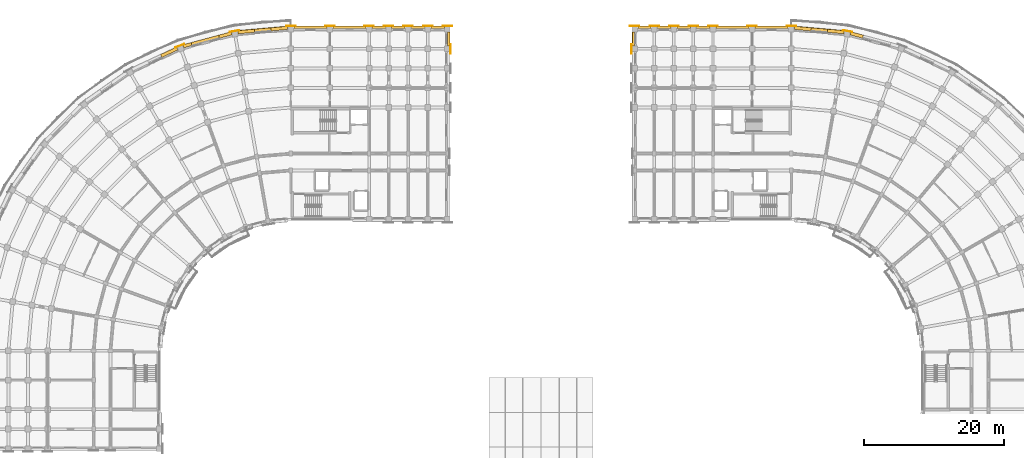
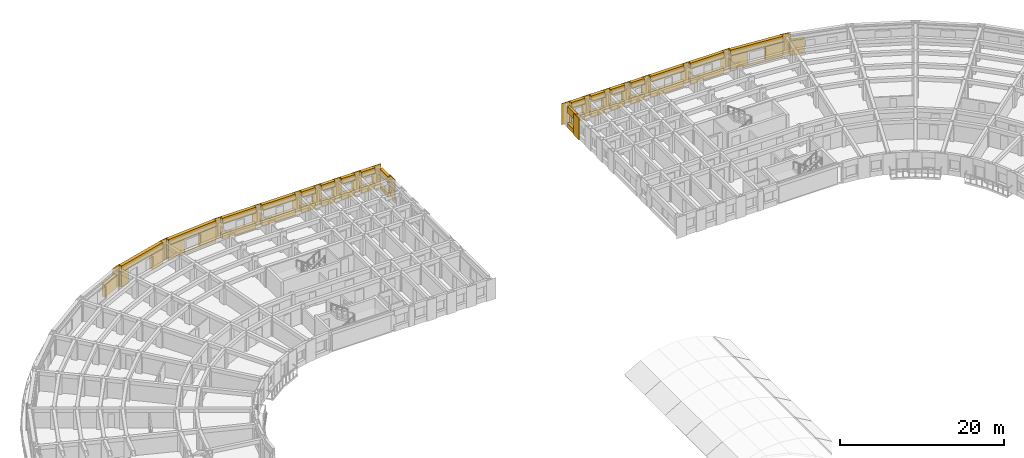
# One storey, part 53 of 54: 60 coverings.
"""IFC4 building model written with IfcOpenShell, lengths in metres."""

import ifcopenshell
import ifcopenshell.guid

model = None  # the IFC model being written
_history = None  # IfcOwnerHistory: only IFC2X3 demands one
_inside = {}  # id of a spatial element -> (the spatial element, [elements in it])
_under = {}  # id of a project, library or spatial element -> (it, [spatial elements below it])
_declared = {}  # id of a project -> (the project, [libraries it declares])
_typed = {}  # id of a type object -> (the type object, [elements of that type])
_made_of = {}  # id of a material, layer set ... -> (it, [elements and type objects made of it])


def new_model(schema):
    """Start an empty IFC model of exactly this schema.

    Asked for "IFC4X3", IfcOpenShell would pick the latest addendum, in which some entities
    have other attributes; the version numbers below select the first issue.
    IFC2X3 requires an IfcOwnerHistory on every rooted entity: one is made here for all.
    """
    global model, _history
    if schema == "IFC4X3":
        model = ifcopenshell.file(schema_version=(4, 3, 0, 0))
    else:
        model = ifcopenshell.file(schema=schema)
    _inside.clear()
    _under.clear()
    _declared.clear()
    _typed.clear()
    _made_of.clear()
    _history = None
    if model.schema == "IFC2X3":
        org = make("IfcOrganization", Name="unknown")
        user = make(
            "IfcPersonAndOrganization",
            ThePerson=make("IfcPerson", FamilyName="unknown"),
            TheOrganization=org,
        )
        app = make(
            "IfcApplication",
            ApplicationDeveloper=org,
            Version="unknown",
            ApplicationFullName="unknown",
            ApplicationIdentifier="unknown",
        )
        _history = make(
            "IfcOwnerHistory",
            OwningUser=user,
            OwningApplication=app,
            ChangeAction="ADDED",
            CreationDate=0,
        )
    return model


def make(cls, **values):
    """One entity of the class cls with the attributes given. An attribute that is None is left unset."""
    return model.create_entity(
        cls, **{name: value for name, value in values.items() if value is not None}
    )


def rooted(cls, **values):
    """An entity with a GlobalId (a new one), such as an element, a storey or a relation."""
    return make(cls, GlobalId=ifcopenshell.guid.new(), OwnerHistory=_history, **values)


def si_unit(unit_type, name, prefix=None):
    """IfcSIUnit, for example si_unit("LENGTHUNIT", "METRE", prefix="MILLI")."""
    return make("IfcSIUnit", UnitType=unit_type, Prefix=prefix, Name=name)


def assignment(units):
    """IfcUnitAssignment: the units of a project."""
    return None if units is None else make("IfcUnitAssignment", Units=units)


def point(xyz):
    """IfcCartesianPoint."""
    return None if xyz is None else make("IfcCartesianPoint", Coordinates=xyz)


def direction(xyz):
    """IfcDirection."""
    return None if xyz is None else make("IfcDirection", DirectionRatios=xyz)


def frame(location, z_axis=None, x_axis=None):
    """IfcAxis2Placement3D, a coordinate frame: its origin and axes. An axis left out is left unset."""
    return make(
        "IfcAxis2Placement3D",
        Location=point(location),
        Axis=direction(z_axis),
        RefDirection=direction(x_axis),
    )


def origin():
    """The frame at (0, 0, 0) with its axes left unset."""
    return frame((0.0, 0.0, 0.0))


def place(relative_to, where):
    """IfcLocalPlacement: puts the frame where relative to a parent placement (None: the world)."""
    return make(
        "IfcLocalPlacement", PlacementRelTo=relative_to, RelativePlacement=where
    )


def context(
    kind, dimensions, precision=None, world=None, true_north=None, identifier=None
):
    """IfcGeometricRepresentationContext, for example the 3D "Model" context."""
    return make(
        "IfcGeometricRepresentationContext",
        ContextIdentifier=identifier,
        ContextType=kind,
        CoordinateSpaceDimension=dimensions,
        Precision=precision,
        WorldCoordinateSystem=world,
        TrueNorth=true_north,
    )


def subcontext(parent, identifier, kind, view, scale=None):
    """IfcGeometricRepresentationSubContext, for example "Body" below "Model"."""
    return make(
        "IfcGeometricRepresentationSubContext",
        ContextIdentifier=identifier,
        ContextType=kind,
        ParentContext=parent,
        TargetScale=scale,
        TargetView=view,
    )


def project(units=None, contexts=None):
    """IfcProject with its units and contexts."""
    return rooted(
        "IfcProject",
        Name="project",
        RepresentationContexts=contexts,
        UnitsInContext=assignment(units),
    )


def spatial(cls, under=None, at=None, **own):
    """A site, building, storey or space (cls), placed at a placement, below another one or the project."""
    s = rooted(cls, ObjectPlacement=at, **own)
    if under is not None:
        _under.setdefault(under.id(), (under, []))[1].append(s)
    return s


def polyline(points):
    """IfcPolyline through the points."""
    return make("IfcPolyline", Points=[point(p) for p in points])


def outline(outer, holes=None, kind="AREA"):
    """IfcArbitraryClosedProfileDef: a profile drawn as a closed curve; with holes, ...WithVoids."""
    if holes is None:
        return make("IfcArbitraryClosedProfileDef", ProfileType=kind, OuterCurve=outer)
    return make(
        "IfcArbitraryProfileDefWithVoids",
        ProfileType=kind,
        OuterCurve=outer,
        InnerCurves=holes,
    )


def extrude(swept, where, along, depth):
    """IfcExtrudedAreaSolid: the profile swept, set in the frame where, extruded along a direction by depth."""
    return make(
        "IfcExtrudedAreaSolid",
        SweptArea=swept,
        Position=where,
        ExtrudedDirection=direction(along),
        Depth=depth,
    )


def shape(context_of_items, identifier, shape_type, items):
    """IfcShapeRepresentation: the items that make up one representation, for example the "Body"."""
    return make(
        "IfcShapeRepresentation",
        ContextOfItems=context_of_items,
        RepresentationIdentifier=identifier,
        RepresentationType=shape_type,
        Items=items,
    )


def material(Name=None, Category=None):
    """IfcMaterial."""
    return make("IfcMaterial", Name=Name, Category=Category)


def layer(
    of_material, thickness, ventilated=None, Name=None, Category=None, Priority=None
):
    """IfcMaterialLayer: one layer of a wall or slab, of a material (None: an air gap)."""
    return make(
        "IfcMaterialLayer",
        Material=of_material,
        LayerThickness=thickness,
        IsVentilated=ventilated,
        Name=Name,
        Category=Category,
        Priority=Priority,
    )


def layer_set(layers, Name=None):
    """IfcMaterialLayerSet."""
    return make("IfcMaterialLayerSet", MaterialLayers=layers, LayerSetName=Name)


def made_of(thing, what):
    """Note that an element or type object is made of a material, layer set ...; save() writes the relation."""
    if what is not None:
        _made_of.setdefault(what.id(), (what, []))[1].append(thing)
    return thing


def type_object(cls, material=None, **own):
    """A type object (cls), such as IfcWallType, which elements share."""
    return made_of(rooted(cls, **own), material)


def element(
    cls,
    number,
    at=None,
    inside=None,
    cuts=None,
    type_object=None,
    material=None,
    context=None,
    identifier="Body",
    shape_type=None,
    held_by="IfcProductDefinitionShape",
    body=None,
    shapes=None,
    **own,
):
    """One element of the class cls, such as IfcWall. Its Tag is "e" and its number.

    at: its placement. inside: the storey or other place that contains it. cuts: it is an
    opening in that element (IfcRelVoidsElement). A single representation is given by context,
    identifier, shape_type and body (its items); several are given by shapes. held_by: the class
    of the entity that holds the representations. save() writes the other relations.
    """
    e = rooted(cls, Tag="e%d" % number, ObjectPlacement=at, **own)
    if body is not None:
        shapes = [shape(context, identifier, shape_type, body)]
    if shapes is not None:
        e.Representation = make(held_by, Representations=shapes)
    if inside is not None:
        _inside.setdefault(inside.id(), (inside, []))[1].append(e)
    if cuts is not None:
        rooted(
            "IfcRelVoidsElement", RelatingBuildingElement=cuts, RelatedOpeningElement=e
        )
    if type_object is not None:
        _typed.setdefault(type_object.id(), (type_object, []))[1].append(e)
    return made_of(e, material)


def aggregate(whole, parts):
    """IfcRelAggregates: a whole, such as a stair, and the parts it consists of."""
    return rooted("IfcRelAggregates", RelatingObject=whole, RelatedObjects=parts)


def save(model, path):
    """Write the relations noted so far, then the file.

    IfcRelAggregates (storeys below a building ...), IfcRelContainedInSpatialStructure (elements
    in a storey), IfcRelDefinesByType, IfcRelAssociatesMaterial and IfcRelDeclares: one each for
    every whole, place, type object, material and project.
    """
    for whole, parts in _under.values():
        aggregate(whole, parts)
    for where, things in _inside.values():
        rooted(
            "IfcRelContainedInSpatialStructure",
            RelatedElements=things,
            RelatingStructure=where,
        )
    for kind, things in _typed.values():
        rooted("IfcRelDefinesByType", RelatedObjects=things, RelatingType=kind)
    for what, things in _made_of.values():
        rooted("IfcRelAssociatesMaterial", RelatedObjects=things, RelatingMaterial=what)
    for by, libraries in _declared.values():
        rooted("IfcRelDeclares", RelatingContext=by, RelatedDefinitions=libraries)
    model.write(path)


model = new_model("IFC4")

# Units and contexts
model_context = context("Model", 3, precision=1e-05, world=origin(), true_north=direction((0.0, 1.0)))
body_context = subcontext(model_context, "Body", "Model", "MODEL_VIEW")
ifc_project = project(units=[si_unit("LENGTHUNIT", "METRE"), si_unit("AREAUNIT", "SQUARE_METRE"), si_unit("VOLUMEUNIT", "CUBIC_METRE"), si_unit("PLANEANGLEUNIT", "RADIAN"), si_unit("MASSUNIT", "GRAM", prefix="KILO")], contexts=[model_context])

# Site, building, storey
site_placement = place(None, origin())
site = spatial("IfcSite", under=ifc_project, at=site_placement, CompositionType="ELEMENT")
building_placement = place(site_placement, origin())
building = spatial("IfcBuilding", under=site, at=building_placement, Name="Kiranvali Square Residences", CompositionType="ELEMENT")
storey_placement = place(building_placement, frame((0.0, 0.0, 15.0)))
storey = spatial("IfcBuildingStorey", under=building, at=storey_placement, Name="L04", CompositionType="ELEMENT", Elevation=15.0)

# Coverings
ifc_material = material(Name="Honed Porbandar limestone ashlar facade cladding", Category="masonry")
ifc_layer_1 = layer(ifc_material, 0.3798828125)
ifc_layer_set_1 = layer_set([ifc_layer_1], Name="Honed Porbandar limestone ashlar facade cladding")
covering_type_1 = type_object("IfcCoveringType", Name="COV-CLAD-JAMB", PredefinedType="CLADDING", material=ifc_layer_set_1)
covering_1_placement = place(storey_placement, frame((0.0, 0.0, 0.322021484375)))
element("IfcCovering", 1, at=covering_1_placement, inside=storey, type_object=covering_type_1, Name="L04 deep limestone window jamb reveal A-L04-CRV-00.L", PredefinedType="CLADDING", context=body_context, shape_type="SweptSolid", body=[
    extrude(outline(polyline([(47.711669921875, 134.218994140625), (45.33642578125, 134.01123046875), (45.37646484375, 133.553466796875), (47.751708984375, 133.76123046875), (47.711669921875, 134.218994140625)])), origin(), (0.0, 0.0, 1.0), 1.949951171875),
])
covering_2_placement = place(storey_placement, frame((0.0, 0.0, 0.322021484375)))
element("IfcCovering", 2, at=covering_2_placement, inside=storey, type_object=covering_type_1, Name="L04 deep limestone window jamb reveal A-L04-CRV-00.R", PredefinedType="CLADDING", context=body_context, shape_type="SweptSolid", body=[
    extrude(outline(polyline([(42.995361328125, 133.806396484375), (40.620361328125, 133.5986328125), (40.660400390625, 133.140869140625), (43.035400390625, 133.3486328125), (42.995361328125, 133.806396484375)])), origin(), (0.0, 0.0, 1.0), 1.949951171875),
])
covering_3_placement = place(storey_placement, origin())
element("IfcCovering", 3, at=covering_3_placement, inside=storey, type_object=covering_type_1, Name="L04 deep limestone window jamb reveal A-L04-CRV-01.L", PredefinedType="CLADDING", context=body_context, shape_type="SweptSolid", body=[
    extrude(outline(polyline([(39.658447265625, 133.428955078125), (37.8798828125, 132.952392578125), (37.998779296875, 132.508544921875), (39.77734375, 132.985107421875), (39.658447265625, 133.428955078125)])), origin(), (0.0, 0.0, 1.0), 2.179931640625),
])
covering_4_placement = place(storey_placement, origin())
element("IfcCovering", 4, at=covering_4_placement, inside=storey, type_object=covering_type_1, Name="L04 deep limestone window jamb reveal A-L04-CRV-01.R", PredefinedType="CLADDING", context=body_context, shape_type="SweptSolid", body=[
    extrude(outline(polyline([(33.942626953125, 131.8974609375), (32.78271484375, 131.586669921875), (32.901611328125, 131.142822265625), (34.0615234375, 131.45361328125), (33.942626953125, 131.8974609375)])), origin(), (0.0, 0.0, 1.0), 2.179931640625),
])
covering_5_placement = place(storey_placement, frame((0.0, 0.0, 0.422119140625)))
element("IfcCovering", 5, at=covering_5_placement, inside=storey, type_object=covering_type_1, Name="L04 deep limestone window jamb reveal A-L04-CRV-02.L", PredefinedType="CLADDING", context=body_context, shape_type="SweptSolid", body=[
    extrude(outline(polyline([(31.86474609375, 131.252685546875), (29.568115234375, 130.181640625), (29.76220703125, 129.76513671875), (32.05908203125, 130.836181640625), (31.86474609375, 131.252685546875)])), origin(), (0.0, 0.0, 1.0), 1.849853515625),
])
covering_6_placement = place(storey_placement, frame((0.0, 0.0, 0.322021484375)))
element("IfcCovering", 6, at=covering_6_placement, inside=storey, type_object=covering_type_1, Name="L04 deep limestone window jamb reveal B-L04-CRV-00.L", PredefinedType="CLADDING", context=body_context, shape_type="SweptSolid", body=[
    extrude(outline(polyline([(120.248291015625, 133.76123046875), (122.62353515625, 133.553466796875), (122.66357421875, 134.01123046875), (120.288330078125, 134.218994140625), (120.248291015625, 133.76123046875)])), origin(), (0.0, 0.0, 1.0), 1.949951171875),
])
covering_7_placement = place(storey_placement, frame((0.0, 0.0, 0.322021484375)))
element("IfcCovering", 7, at=covering_7_placement, inside=storey, type_object=covering_type_1, Name="L04 deep limestone window jamb reveal B-L04-CRV-00.R", PredefinedType="CLADDING", context=body_context, shape_type="SweptSolid", body=[
    extrude(outline(polyline([(124.964599609375, 133.3486328125), (127.339599609375, 133.140869140625), (127.379638671875, 133.5986328125), (125.004638671875, 133.806396484375), (124.964599609375, 133.3486328125)])), origin(), (0.0, 0.0, 1.0), 1.949951171875),
])
covering_8_placement = place(storey_placement, origin())
element("IfcCovering", 8, at=covering_8_placement, inside=storey, type_object=covering_type_1, Name="L04 deep limestone window jamb reveal B-L04-CRV-01.L", PredefinedType="CLADDING", context=body_context, shape_type="SweptSolid", body=[
    extrude(outline(polyline([(128.22265625, 132.985107421875), (130.001220703125, 132.508544921875), (130.1201171875, 132.952392578125), (128.341552734375, 133.428955078125), (128.22265625, 132.985107421875)])), origin(), (0.0, 0.0, 1.0), 2.179931640625),
])
ifc_layer_2 = layer(ifc_material, 0.06494140625)
ifc_layer_set_2 = layer_set([ifc_layer_2], Name="Honed Porbandar limestone ashlar facade cladding")
covering_type_2 = type_object("IfcCoveringType", Name="COV-CLAD-PIER", PredefinedType="CLADDING", material=ifc_layer_set_2)
covering_9_placement = place(storey_placement, frame((0.0, 0.0, 0.0048828125)))
element("IfcCovering", 9, at=covering_9_placement, inside=storey, type_object=covering_type_2, Name="L04 Classical limestone corner pilaster CLAD-PR-A-L04-A00", PredefinedType="CLADDING", context=body_context, shape_type="SweptSolid", body=[
    extrude(outline(polyline([(48.8798828125, 134.26806640625), (47.52001953125, 134.26806640625), (47.52001953125, 134.200439453125), (48.8798828125, 134.200439453125), (48.8798828125, 134.26806640625)])), origin(), (0.0, 0.0, 1.0), 3.14013671875),
])
covering_10_placement = place(storey_placement, frame((0.0, 0.0, 0.0048828125)))
element("IfcCovering", 10, at=covering_10_placement, inside=storey, type_object=covering_type_2, Name="L04 Classical limestone corner pilaster CLAD-PR-A-L04-A01", PredefinedType="CLADDING", context=body_context, shape_type="SweptSolid", body=[
    extrude(outline(polyline([(40.800537109375, 133.68017578125), (39.461181640625, 133.444091796875), (39.472900390625, 133.37744140625), (40.812255859375, 133.61376953125), (40.800537109375, 133.68017578125)])), origin(), (0.0, 0.0, 1.0), 3.14013671875),
])
covering_11_placement = place(storey_placement, frame((0.0, 0.0, 0.0048828125)))
element("IfcCovering", 11, at=covering_11_placement, inside=storey, type_object=covering_type_2, Name="L04 Classical limestone corner pilaster CLAD-PR-A-L04-A02", PredefinedType="CLADDING", context=body_context, shape_type="SweptSolid", body=[
    extrude(outline(polyline([(32.946044921875, 131.6982421875), (31.66796875, 131.233154296875), (31.691162109375, 131.169677734375), (32.968994140625, 131.634765625), (32.946044921875, 131.6982421875)])), origin(), (0.0, 0.0, 1.0), 3.14013671875),
])
covering_12_placement = place(storey_placement, frame((0.0, 0.0, 0.0048828125)))
element("IfcCovering", 12, at=covering_12_placement, inside=storey, type_object=covering_type_2, Name="L04 Classical limestone pilaster casing CLAD-PR-A-L04-U56", PredefinedType="CLADDING", context=body_context, shape_type="SweptSolid", body=[
    extrude(outline(polyline([(53.1201171875, 134.200439453125), (54.47998046875, 134.200439453125), (54.47998046875, 134.26806640625), (53.1201171875, 134.26806640625), (53.1201171875, 134.200439453125)])), origin(), (0.0, 0.0, 1.0), 3.14013671875),
])
covering_13_placement = place(storey_placement, frame((0.0, 0.0, 0.0048828125)))
element("IfcCovering", 13, at=covering_13_placement, inside=storey, type_object=covering_type_2, Name="L04 Classical limestone pilaster casing CLAD-PR-A-L04-U112", PredefinedType="CLADDING", context=body_context, shape_type="SweptSolid", body=[
    extrude(outline(polyline([(58.719970703125, 134.200439453125), (60.080078125, 134.200439453125), (60.080078125, 134.26806640625), (58.719970703125, 134.26806640625), (58.719970703125, 134.200439453125)])), origin(), (0.0, 0.0, 1.0), 3.14013671875),
])
covering_14_placement = place(storey_placement, frame((0.0, 0.0, 0.0048828125)))
element("IfcCovering", 14, at=covering_14_placement, inside=storey, type_object=covering_type_2, Name="L04 Classical limestone pilaster casing CLAD-PR-A-L04-U140", PredefinedType="CLADDING", context=body_context, shape_type="SweptSolid", body=[
    extrude(outline(polyline([(61.52001953125, 134.200439453125), (62.8798828125, 134.200439453125), (62.8798828125, 134.26806640625), (61.52001953125, 134.26806640625), (61.52001953125, 134.200439453125)])), origin(), (0.0, 0.0, 1.0), 3.14013671875),
])
covering_15_placement = place(storey_placement, frame((0.0, 0.0, 0.0048828125)))
element("IfcCovering", 15, at=covering_15_placement, inside=storey, type_object=covering_type_2, Name="L04 Classical limestone pilaster casing CLAD-PR-A-L04-U167", PredefinedType="CLADDING", context=body_context, shape_type="SweptSolid", body=[
    extrude(outline(polyline([(64.320068359375, 134.200439453125), (65.679931640625, 134.200439453125), (65.679931640625, 134.26806640625), (64.320068359375, 134.26806640625), (64.320068359375, 134.200439453125)])), origin(), (0.0, 0.0, 1.0), 3.14013671875),
])
covering_16_placement = place(storey_placement, frame((0.0, 0.0, 0.0048828125)))
element("IfcCovering", 16, at=covering_16_placement, inside=storey, type_object=covering_type_2, Name="L04 Classical limestone pilaster casing CLAD-PR-A-L04-U195", PredefinedType="CLADDING", context=body_context, shape_type="SweptSolid", body=[
    extrude(outline(polyline([(67.1201171875, 134.200439453125), (68.47998046875, 134.200439453125), (68.47998046875, 134.26806640625), (67.1201171875, 134.26806640625), (67.1201171875, 134.200439453125)])), origin(), (0.0, 0.0, 1.0), 3.14013671875),
])
covering_17_placement = place(storey_placement, frame((0.0, 0.0, 0.0048828125)))
element("IfcCovering", 17, at=covering_17_placement, inside=storey, type_object=covering_type_2, Name="L04 Classical limestone pilaster casing CLAD-PR-A-L04-U224", PredefinedType="CLADDING", context=body_context, shape_type="SweptSolid", body=[
    extrude(outline(polyline([(69.919921875, 134.200439453125), (71.280029296875, 134.200439453125), (71.280029296875, 134.26806640625), (69.919921875, 134.26806640625), (69.919921875, 134.200439453125)])), origin(), (0.0, 0.0, 1.0), 3.14013671875),
])
covering_18_placement = place(storey_placement, frame((0.0, 0.0, 0.0048828125)))
element("IfcCovering", 18, at=covering_18_placement, inside=storey, type_object=covering_type_2, Name="L04 Classical limestone corner pilaster CLAD-PR-B-L04-A00", PredefinedType="CLADDING", context=body_context, shape_type="SweptSolid", body=[
    extrude(outline(polyline([(120.47998046875, 134.26806640625), (119.1201171875, 134.26806640625), (119.1201171875, 134.200439453125), (120.47998046875, 134.200439453125), (120.47998046875, 134.26806640625)])), origin(), (0.0, 0.0, 1.0), 3.14013671875),
])
covering_19_placement = place(storey_placement, frame((0.0, 0.0, 0.0048828125)))
element("IfcCovering", 19, at=covering_19_placement, inside=storey, type_object=covering_type_2, Name="L04 Classical limestone corner pilaster CLAD-PR-B-L04-A01", PredefinedType="CLADDING", context=body_context, shape_type="SweptSolid", body=[
    extrude(outline(polyline([(128.538818359375, 133.444091796875), (127.199462890625, 133.68017578125), (127.187744140625, 133.61376953125), (128.527099609375, 133.37744140625), (128.538818359375, 133.444091796875)])), origin(), (0.0, 0.0, 1.0), 3.14013671875),
])
covering_20_placement = place(storey_placement, frame((0.0, 0.0, 0.0048828125)))
element("IfcCovering", 20, at=covering_20_placement, inside=storey, type_object=covering_type_2, Name="L04 Classical limestone pilaster casing CLAD-PR-B-L04-U56", PredefinedType="CLADDING", context=body_context, shape_type="SweptSolid", body=[
    extrude(outline(polyline([(114.8798828125, 134.26806640625), (113.52001953125, 134.26806640625), (113.52001953125, 134.200439453125), (114.8798828125, 134.200439453125), (114.8798828125, 134.26806640625)])), origin(), (0.0, 0.0, 1.0), 3.14013671875),
])
covering_21_placement = place(storey_placement, frame((0.0, 0.0, 0.0048828125)))
element("IfcCovering", 21, at=covering_21_placement, inside=storey, type_object=covering_type_2, Name="L04 Classical limestone pilaster casing CLAD-PR-B-L04-U112", PredefinedType="CLADDING", context=body_context, shape_type="SweptSolid", body=[
    extrude(outline(polyline([(109.280029296875, 134.26806640625), (107.919921875, 134.26806640625), (107.919921875, 134.200439453125), (109.280029296875, 134.200439453125), (109.280029296875, 134.26806640625)])), origin(), (0.0, 0.0, 1.0), 3.14013671875),
])
covering_22_placement = place(storey_placement, frame((0.0, 0.0, 0.0048828125)))
element("IfcCovering", 22, at=covering_22_placement, inside=storey, type_object=covering_type_2, Name="L04 Classical limestone pilaster casing CLAD-PR-B-L04-U140", PredefinedType="CLADDING", context=body_context, shape_type="SweptSolid", body=[
    extrude(outline(polyline([(106.47998046875, 134.26806640625), (105.1201171875, 134.26806640625), (105.1201171875, 134.200439453125), (106.47998046875, 134.200439453125), (106.47998046875, 134.26806640625)])), origin(), (0.0, 0.0, 1.0), 3.14013671875),
])
covering_23_placement = place(storey_placement, frame((0.0, 0.0, 0.0048828125)))
element("IfcCovering", 23, at=covering_23_placement, inside=storey, type_object=covering_type_2, Name="L04 Classical limestone pilaster casing CLAD-PR-B-L04-U167", PredefinedType="CLADDING", context=body_context, shape_type="SweptSolid", body=[
    extrude(outline(polyline([(103.679931640625, 134.26806640625), (102.320068359375, 134.26806640625), (102.320068359375, 134.200439453125), (103.679931640625, 134.200439453125), (103.679931640625, 134.26806640625)])), origin(), (0.0, 0.0, 1.0), 3.14013671875),
])
covering_24_placement = place(storey_placement, frame((0.0, 0.0, 0.0048828125)))
element("IfcCovering", 24, at=covering_24_placement, inside=storey, type_object=covering_type_2, Name="L04 Classical limestone pilaster casing CLAD-PR-B-L04-U195", PredefinedType="CLADDING", context=body_context, shape_type="SweptSolid", body=[
    extrude(outline(polyline([(100.8798828125, 134.26806640625), (99.52001953125, 134.26806640625), (99.52001953125, 134.200439453125), (100.8798828125, 134.200439453125), (100.8798828125, 134.26806640625)])), origin(), (0.0, 0.0, 1.0), 3.14013671875),
])
covering_25_placement = place(storey_placement, frame((0.0, 0.0, 0.0048828125)))
element("IfcCovering", 25, at=covering_25_placement, inside=storey, type_object=covering_type_2, Name="L04 Classical limestone pilaster casing CLAD-PR-B-L04-U224", PredefinedType="CLADDING", context=body_context, shape_type="SweptSolid", body=[
    extrude(outline(polyline([(98.080078125, 134.26806640625), (96.719970703125, 134.26806640625), (96.719970703125, 134.200439453125), (98.080078125, 134.200439453125), (98.080078125, 134.26806640625)])), origin(), (0.0, 0.0, 1.0), 3.14013671875),
])
ifc_layer_3 = layer(ifc_material, 0.054931640625)
ifc_layer_set_3 = layer_set([ifc_layer_3], Name="Honed Porbandar limestone ashlar facade cladding")
covering_type_3 = type_object("IfcCoveringType", Name="COV-CLAD-PIER-UP", PredefinedType="CLADDING", material=ifc_layer_set_3)
covering_26_placement = place(storey_placement, frame((0.0, 0.0, 0.0048828125)))
element("IfcCovering", 26, at=covering_26_placement, inside=storey, type_object=covering_type_3, Name="L04 Classical limestone pilaster casing CLAD-PRA1E-A-L04-R432", PredefinedType="CLADDING", context=body_context, shape_type="SweptSolid", body=[
    extrude(outline(polyline([(71.068115234375, 130.320068359375), (71.068115234375, 131.679931640625), (71.00048828125, 131.679931640625), (71.00048828125, 130.320068359375), (71.068115234375, 130.320068359375)])), origin(), (0.0, 0.0, 1.0), 3.14013671875),
])
covering_27_placement = place(storey_placement, frame((0.0, 0.0, 0.0048828125)))
element("IfcCovering", 27, at=covering_27_placement, inside=storey, type_object=covering_type_3, Name="L04 Classical limestone pilaster casing CLAD-PRA1E-B-L04-R432", PredefinedType="CLADDING", context=body_context, shape_type="SweptSolid", body=[
    extrude(outline(polyline([(96.99951171875, 130.320068359375), (96.99951171875, 131.679931640625), (96.931884765625, 131.679931640625), (96.931884765625, 130.320068359375), (96.99951171875, 130.320068359375)])), origin(), (0.0, 0.0, 1.0), 3.14013671875),
])
ifc_layer_4 = layer(ifc_material, 0.360107421875)
ifc_layer_set_4 = layer_set([ifc_layer_4], Name="Honed Porbandar limestone ashlar facade cladding")
covering_type_4 = type_object("IfcCoveringType", Name="COV-CLAD-WALL", PredefinedType="CLADDING", material=ifc_layer_set_4)
covering_28_placement = place(storey_placement, frame((0.0, 0.0, 2.27197265625)))
element("IfcCovering", 28, at=covering_28_placement, inside=storey, type_object=covering_type_4, Name="L04 light limestone spandrel lintel A-L04-CRV-00", PredefinedType="CLADDING", context=body_context, shape_type="SweptSolid", body=[
    extrude(outline(polyline([(47.711669921875, 134.218994140625), (40.620361328125, 133.5986328125), (40.660400390625, 133.140869140625), (47.751708984375, 133.76123046875), (47.711669921875, 134.218994140625)])), origin(), (0.0, 0.0, 1.0), 0.873046875),
])
covering_29_placement = place(storey_placement, frame((0.0, 0.0, 0.0048828125)))
element("IfcCovering", 29, at=covering_29_placement, inside=storey, type_object=covering_type_4, Name="L04 limestone window sill apron A-L04-CRV-00", PredefinedType="CLADDING", context=body_context, shape_type="SweptSolid", body=[
    extrude(outline(polyline([(47.708984375, 134.2490234375), (40.61767578125, 133.62841796875), (40.660400390625, 133.140869140625), (47.751708984375, 133.76123046875), (47.708984375, 134.2490234375)])), origin(), (0.0, 0.0, 1.0), 0.317138671875),
])
covering_30_placement = place(storey_placement, frame((0.0, 0.0, 2.179931640625)))
element("IfcCovering", 30, at=covering_30_placement, inside=storey, type_object=covering_type_4, Name="L04 light limestone spandrel lintel A-L04-CRV-01", PredefinedType="CLADDING", context=body_context, shape_type="SweptSolid", body=[
    extrude(outline(polyline([(39.658447265625, 133.428955078125), (32.78271484375, 131.586669921875), (32.901611328125, 131.142822265625), (39.77734375, 132.985107421875), (39.658447265625, 133.428955078125)])), origin(), (0.0, 0.0, 1.0), 0.965087890625),
])
covering_31_placement = place(storey_placement, frame((0.0, 0.0, 2.27197265625)))
element("IfcCovering", 31, at=covering_31_placement, inside=storey, type_object=covering_type_4, Name="L04 light limestone spandrel lintel A-L04-A1O-0", PredefinedType="CLADDING", context=body_context, shape_type="SweptSolid", body=[
    extrude(outline(polyline([(48.639892578125, 133.800537109375), (53.360107421875, 133.800537109375), (53.360107421875, 134.25), (48.639892578125, 134.25), (48.639892578125, 133.800537109375)])), origin(), (0.0, 0.0, 1.0), 0.873046875),
])
covering_32_placement = place(storey_placement, frame((0.0, 0.0, 0.0048828125)))
element("IfcCovering", 32, at=covering_32_placement, inside=storey, type_object=covering_type_4, Name="L04 limestone window sill apron A-L04-A1O-0", PredefinedType="CLADDING", context=body_context, shape_type="SweptSolid", body=[
    extrude(outline(polyline([(48.639892578125, 133.800537109375), (53.360107421875, 133.800537109375), (53.360107421875, 134.280029296875), (48.639892578125, 134.280029296875), (48.639892578125, 133.800537109375)])), origin(), (0.0, 0.0, 1.0), 0.76708984375),
])
covering_33_placement = place(storey_placement, frame((0.0, 0.0, 2.27197265625)))
element("IfcCovering", 33, at=covering_33_placement, inside=storey, type_object=covering_type_4, Name="L04 light limestone spandrel lintel A-L04-A1O-1", PredefinedType="CLADDING", context=body_context, shape_type="SweptSolid", body=[
    extrude(outline(polyline([(54.239990234375, 133.800537109375), (58.9599609375, 133.800537109375), (58.9599609375, 134.25), (54.239990234375, 134.25), (54.239990234375, 133.800537109375)])), origin(), (0.0, 0.0, 1.0), 0.873046875),
])
covering_34_placement = place(storey_placement, frame((0.0, 0.0, 0.0048828125)))
element("IfcCovering", 34, at=covering_34_placement, inside=storey, type_object=covering_type_4, Name="L04 limestone window sill apron A-L04-A1O-1", PredefinedType="CLADDING", context=body_context, shape_type="SweptSolid", body=[
    extrude(outline(polyline([(54.239990234375, 133.800537109375), (58.9599609375, 133.800537109375), (58.9599609375, 134.280029296875), (54.239990234375, 134.280029296875), (54.239990234375, 133.800537109375)])), origin(), (0.0, 0.0, 1.0), 0.817138671875),
])
covering_35_placement = place(storey_placement, frame((0.0, 0.0, 2.22998046875)))
element("IfcCovering", 35, at=covering_35_placement, inside=storey, type_object=covering_type_4, Name="L04 light limestone spandrel lintel A-L04-A1O-2", PredefinedType="CLADDING", context=body_context, shape_type="SweptSolid", body=[
    extrude(outline(polyline([(59.840087890625, 133.800537109375), (61.760009765625, 133.800537109375), (61.760009765625, 134.25), (59.840087890625, 134.25), (59.840087890625, 133.800537109375)])), origin(), (0.0, 0.0, 1.0), 0.9150390625),
])
covering_36_placement = place(storey_placement, frame((0.0, 0.0, 0.0048828125)))
element("IfcCovering", 36, at=covering_36_placement, inside=storey, type_object=covering_type_4, Name="L04 limestone window sill apron A-L04-A1O-2", PredefinedType="CLADDING", context=body_context, shape_type="SweptSolid", body=[
    extrude(outline(polyline([(59.840087890625, 133.800537109375), (61.760009765625, 133.800537109375), (61.760009765625, 134.280029296875), (59.840087890625, 134.280029296875), (59.840087890625, 133.800537109375)])), origin(), (0.0, 0.0, 1.0), 0.875),
])
covering_37_placement = place(storey_placement, frame((0.0, 0.0, 2.27197265625)))
element("IfcCovering", 37, at=covering_37_placement, inside=storey, type_object=covering_type_4, Name="L04 light limestone spandrel lintel A-L04-A1O-3", PredefinedType="CLADDING", context=body_context, shape_type="SweptSolid", body=[
    extrude(outline(polyline([(62.639892578125, 133.800537109375), (64.56005859375, 133.800537109375), (64.56005859375, 134.25), (62.639892578125, 134.25), (62.639892578125, 133.800537109375)])), origin(), (0.0, 0.0, 1.0), 0.873046875),
])
covering_38_placement = place(storey_placement, frame((0.0, 0.0, 0.0048828125)))
element("IfcCovering", 38, at=covering_38_placement, inside=storey, type_object=covering_type_4, Name="L04 limestone window sill apron A-L04-A1O-3", PredefinedType="CLADDING", context=body_context, shape_type="SweptSolid", body=[
    extrude(outline(polyline([(62.639892578125, 133.800537109375), (64.56005859375, 133.800537109375), (64.56005859375, 134.280029296875), (62.639892578125, 134.280029296875), (62.639892578125, 133.800537109375)])), origin(), (0.0, 0.0, 1.0), 0.76708984375),
])
covering_39_placement = place(storey_placement, frame((0.0, 0.0, 2.27197265625)))
element("IfcCovering", 39, at=covering_39_placement, inside=storey, type_object=covering_type_4, Name="L04 light limestone spandrel lintel A-L04-A1O-4", PredefinedType="CLADDING", context=body_context, shape_type="SweptSolid", body=[
    extrude(outline(polyline([(65.43994140625, 133.800537109375), (67.360107421875, 133.800537109375), (67.360107421875, 134.25), (65.43994140625, 134.25), (65.43994140625, 133.800537109375)])), origin(), (0.0, 0.0, 1.0), 0.873046875),
])
covering_40_placement = place(storey_placement, frame((0.0, 0.0, 0.0048828125)))
element("IfcCovering", 40, at=covering_40_placement, inside=storey, type_object=covering_type_4, Name="L04 limestone window sill apron A-L04-A1O-4", PredefinedType="CLADDING", context=body_context, shape_type="SweptSolid", body=[
    extrude(outline(polyline([(65.43994140625, 133.800537109375), (67.360107421875, 133.800537109375), (67.360107421875, 134.280029296875), (65.43994140625, 134.280029296875), (65.43994140625, 133.800537109375)])), origin(), (0.0, 0.0, 1.0), 0.76708984375),
])
covering_41_placement = place(storey_placement, frame((0.0, 0.0, 2.27197265625)))
element("IfcCovering", 41, at=covering_41_placement, inside=storey, type_object=covering_type_4, Name="L04 light limestone spandrel lintel A-L04-A1O-5", PredefinedType="CLADDING", context=body_context, shape_type="SweptSolid", body=[
    extrude(outline(polyline([(68.239990234375, 133.800537109375), (70.159912109375, 133.800537109375), (70.159912109375, 134.25), (68.239990234375, 134.25), (68.239990234375, 133.800537109375)])), origin(), (0.0, 0.0, 1.0), 0.873046875),
])
covering_42_placement = place(storey_placement, frame((0.0, 0.0, 0.0048828125)))
element("IfcCovering", 42, at=covering_42_placement, inside=storey, type_object=covering_type_4, Name="L04 limestone window sill apron A-L04-A1O-5", PredefinedType="CLADDING", context=body_context, shape_type="SweptSolid", body=[
    extrude(outline(polyline([(68.239990234375, 133.800537109375), (70.159912109375, 133.800537109375), (70.159912109375, 134.280029296875), (68.239990234375, 134.280029296875), (68.239990234375, 133.800537109375)])), origin(), (0.0, 0.0, 1.0), 0.817138671875),
])
covering_43_placement = place(storey_placement, frame((0.0, 0.0, 2.172119140625)))
element("IfcCovering", 43, at=covering_43_placement, inside=storey, type_object=covering_type_4, Name="L04 light limestone spandrel lintel A-L04-A1END-6", PredefinedType="CLADDING", context=body_context, shape_type="SweptSolid", body=[
    extrude(outline(polyline([(70.93994140625, 131.419921875), (70.93994140625, 133.3798828125), (70.6005859375, 133.3798828125), (70.6005859375, 131.419921875), (70.93994140625, 131.419921875)])), origin(), (0.0, 0.0, 1.0), 0.972900390625),
])
covering_44_placement = place(storey_placement, frame((0.0, 0.0, 0.0048828125)))
element("IfcCovering", 44, at=covering_44_placement, inside=storey, type_object=covering_type_4, Name="L04 limestone window sill apron A-L04-A1END-6", PredefinedType="CLADDING", context=body_context, shape_type="SweptSolid", body=[
    extrude(outline(polyline([(70.969970703125, 131.419921875), (70.969970703125, 133.3798828125), (70.6005859375, 133.3798828125), (70.6005859375, 131.419921875), (70.969970703125, 131.419921875)])), origin(), (0.0, 0.0, 1.0), 0.667236328125),
])
covering_45_placement = place(storey_placement, frame((0.0, 0.0, 2.27197265625)))
element("IfcCovering", 45, at=covering_45_placement, inside=storey, type_object=covering_type_4, Name="L04 light limestone spandrel lintel B-L04-CRV-00", PredefinedType="CLADDING", context=body_context, shape_type="SweptSolid", body=[
    extrude(outline(polyline([(120.248291015625, 133.76123046875), (127.339599609375, 133.140869140625), (127.379638671875, 133.5986328125), (120.288330078125, 134.218994140625), (120.248291015625, 133.76123046875)])), origin(), (0.0, 0.0, 1.0), 0.873046875),
])
covering_46_placement = place(storey_placement, frame((0.0, 0.0, 0.0048828125)))
element("IfcCovering", 46, at=covering_46_placement, inside=storey, type_object=covering_type_4, Name="L04 limestone window sill apron B-L04-CRV-00", PredefinedType="CLADDING", context=body_context, shape_type="SweptSolid", body=[
    extrude(outline(polyline([(120.248291015625, 133.76123046875), (127.339599609375, 133.140869140625), (127.38232421875, 133.62841796875), (120.291015625, 134.2490234375), (120.248291015625, 133.76123046875)])), origin(), (0.0, 0.0, 1.0), 0.317138671875),
])
covering_47_placement = place(storey_placement, frame((0.0, 0.0, 2.27197265625)))
element("IfcCovering", 47, at=covering_47_placement, inside=storey, type_object=covering_type_4, Name="L04 light limestone spandrel lintel B-L04-A1O-0", PredefinedType="CLADDING", context=body_context, shape_type="SweptSolid", body=[
    extrude(outline(polyline([(119.360107421875, 134.25), (114.639892578125, 134.25), (114.639892578125, 133.800537109375), (119.360107421875, 133.800537109375), (119.360107421875, 134.25)])), origin(), (0.0, 0.0, 1.0), 0.873046875),
])
covering_48_placement = place(storey_placement, frame((0.0, 0.0, 0.0048828125)))
element("IfcCovering", 48, at=covering_48_placement, inside=storey, type_object=covering_type_4, Name="L04 limestone window sill apron B-L04-A1O-0", PredefinedType="CLADDING", context=body_context, shape_type="SweptSolid", body=[
    extrude(outline(polyline([(119.360107421875, 134.280029296875), (114.639892578125, 134.280029296875), (114.639892578125, 133.800537109375), (119.360107421875, 133.800537109375), (119.360107421875, 134.280029296875)])), origin(), (0.0, 0.0, 1.0), 0.76708984375),
])
covering_49_placement = place(storey_placement, frame((0.0, 0.0, 2.27197265625)))
element("IfcCovering", 49, at=covering_49_placement, inside=storey, type_object=covering_type_4, Name="L04 light limestone spandrel lintel B-L04-A1O-1", PredefinedType="CLADDING", context=body_context, shape_type="SweptSolid", body=[
    extrude(outline(polyline([(113.760009765625, 134.25), (109.0400390625, 134.25), (109.0400390625, 133.800537109375), (113.760009765625, 133.800537109375), (113.760009765625, 134.25)])), origin(), (0.0, 0.0, 1.0), 0.873046875),
])
covering_50_placement = place(storey_placement, frame((0.0, 0.0, 0.0048828125)))
element("IfcCovering", 50, at=covering_50_placement, inside=storey, type_object=covering_type_4, Name="L04 limestone window sill apron B-L04-A1O-1", PredefinedType="CLADDING", context=body_context, shape_type="SweptSolid", body=[
    extrude(outline(polyline([(113.760009765625, 134.280029296875), (109.0400390625, 134.280029296875), (109.0400390625, 133.800537109375), (113.760009765625, 133.800537109375), (113.760009765625, 134.280029296875)])), origin(), (0.0, 0.0, 1.0), 0.817138671875),
])
covering_51_placement = place(storey_placement, frame((0.0, 0.0, 2.22998046875)))
element("IfcCovering", 51, at=covering_51_placement, inside=storey, type_object=covering_type_4, Name="L04 light limestone spandrel lintel B-L04-A1O-2", PredefinedType="CLADDING", context=body_context, shape_type="SweptSolid", body=[
    extrude(outline(polyline([(108.159912109375, 134.25), (106.239990234375, 134.25), (106.239990234375, 133.800537109375), (108.159912109375, 133.800537109375), (108.159912109375, 134.25)])), origin(), (0.0, 0.0, 1.0), 0.9150390625),
])
covering_52_placement = place(storey_placement, frame((0.0, 0.0, 0.0048828125)))
element("IfcCovering", 52, at=covering_52_placement, inside=storey, type_object=covering_type_4, Name="L04 limestone window sill apron B-L04-A1O-2", PredefinedType="CLADDING", context=body_context, shape_type="SweptSolid", body=[
    extrude(outline(polyline([(108.159912109375, 134.280029296875), (106.239990234375, 134.280029296875), (106.239990234375, 133.800537109375), (108.159912109375, 133.800537109375), (108.159912109375, 134.280029296875)])), origin(), (0.0, 0.0, 1.0), 0.875),
])
covering_53_placement = place(storey_placement, frame((0.0, 0.0, 2.27197265625)))
element("IfcCovering", 53, at=covering_53_placement, inside=storey, type_object=covering_type_4, Name="L04 light limestone spandrel lintel B-L04-A1O-3", PredefinedType="CLADDING", context=body_context, shape_type="SweptSolid", body=[
    extrude(outline(polyline([(105.360107421875, 134.25), (103.43994140625, 134.25), (103.43994140625, 133.800537109375), (105.360107421875, 133.800537109375), (105.360107421875, 134.25)])), origin(), (0.0, 0.0, 1.0), 0.873046875),
])
covering_54_placement = place(storey_placement, frame((0.0, 0.0, 0.0048828125)))
element("IfcCovering", 54, at=covering_54_placement, inside=storey, type_object=covering_type_4, Name="L04 limestone window sill apron B-L04-A1O-3", PredefinedType="CLADDING", context=body_context, shape_type="SweptSolid", body=[
    extrude(outline(polyline([(105.360107421875, 134.280029296875), (103.43994140625, 134.280029296875), (103.43994140625, 133.800537109375), (105.360107421875, 133.800537109375), (105.360107421875, 134.280029296875)])), origin(), (0.0, 0.0, 1.0), 0.76708984375),
])
covering_55_placement = place(storey_placement, frame((0.0, 0.0, 2.27197265625)))
element("IfcCovering", 55, at=covering_55_placement, inside=storey, type_object=covering_type_4, Name="L04 light limestone spandrel lintel B-L04-A1O-4", PredefinedType="CLADDING", context=body_context, shape_type="SweptSolid", body=[
    extrude(outline(polyline([(102.56005859375, 134.25), (100.639892578125, 134.25), (100.639892578125, 133.800537109375), (102.56005859375, 133.800537109375), (102.56005859375, 134.25)])), origin(), (0.0, 0.0, 1.0), 0.873046875),
])
covering_56_placement = place(storey_placement, frame((0.0, 0.0, 0.0048828125)))
element("IfcCovering", 56, at=covering_56_placement, inside=storey, type_object=covering_type_4, Name="L04 limestone window sill apron B-L04-A1O-4", PredefinedType="CLADDING", context=body_context, shape_type="SweptSolid", body=[
    extrude(outline(polyline([(102.56005859375, 134.280029296875), (100.639892578125, 134.280029296875), (100.639892578125, 133.800537109375), (102.56005859375, 133.800537109375), (102.56005859375, 134.280029296875)])), origin(), (0.0, 0.0, 1.0), 0.76708984375),
])
covering_57_placement = place(storey_placement, frame((0.0, 0.0, 2.27197265625)))
element("IfcCovering", 57, at=covering_57_placement, inside=storey, type_object=covering_type_4, Name="L04 light limestone spandrel lintel B-L04-A1O-5", PredefinedType="CLADDING", context=body_context, shape_type="SweptSolid", body=[
    extrude(outline(polyline([(99.760009765625, 134.25), (97.840087890625, 134.25), (97.840087890625, 133.800537109375), (99.760009765625, 133.800537109375), (99.760009765625, 134.25)])), origin(), (0.0, 0.0, 1.0), 0.873046875),
])
covering_58_placement = place(storey_placement, frame((0.0, 0.0, 0.0048828125)))
element("IfcCovering", 58, at=covering_58_placement, inside=storey, type_object=covering_type_4, Name="L04 limestone window sill apron B-L04-A1O-5", PredefinedType="CLADDING", context=body_context, shape_type="SweptSolid", body=[
    extrude(outline(polyline([(99.760009765625, 134.280029296875), (97.840087890625, 134.280029296875), (97.840087890625, 133.800537109375), (99.760009765625, 133.800537109375), (99.760009765625, 134.280029296875)])), origin(), (0.0, 0.0, 1.0), 0.817138671875),
])
covering_59_placement = place(storey_placement, frame((0.0, 0.0, 2.172119140625)))
element("IfcCovering", 59, at=covering_59_placement, inside=storey, type_object=covering_type_4, Name="L04 light limestone spandrel lintel B-L04-A1END-6", PredefinedType="CLADDING", context=body_context, shape_type="SweptSolid", body=[
    extrude(outline(polyline([(97.3994140625, 131.419921875), (97.3994140625, 133.3798828125), (97.06005859375, 133.3798828125), (97.06005859375, 131.419921875), (97.3994140625, 131.419921875)])), origin(), (0.0, 0.0, 1.0), 0.972900390625),
])
covering_60_placement = place(storey_placement, frame((0.0, 0.0, 0.0048828125)))
element("IfcCovering", 60, at=covering_60_placement, inside=storey, type_object=covering_type_4, Name="L04 limestone window sill apron B-L04-A1END-6", PredefinedType="CLADDING", context=body_context, shape_type="SweptSolid", body=[
    extrude(outline(polyline([(97.3994140625, 131.419921875), (97.3994140625, 133.3798828125), (97.030029296875, 133.3798828125), (97.030029296875, 131.419921875), (97.3994140625, 131.419921875)])), origin(), (0.0, 0.0, 1.0), 0.667236328125),
])

save(model, "model.ifc")
